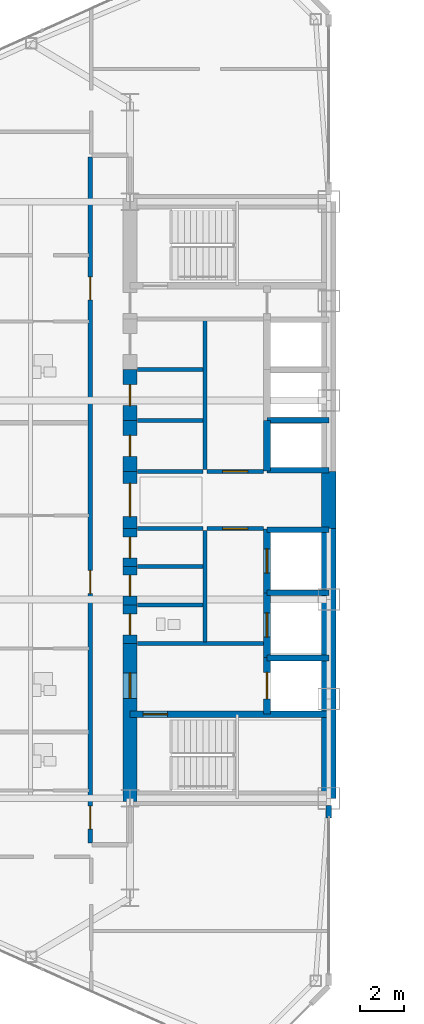
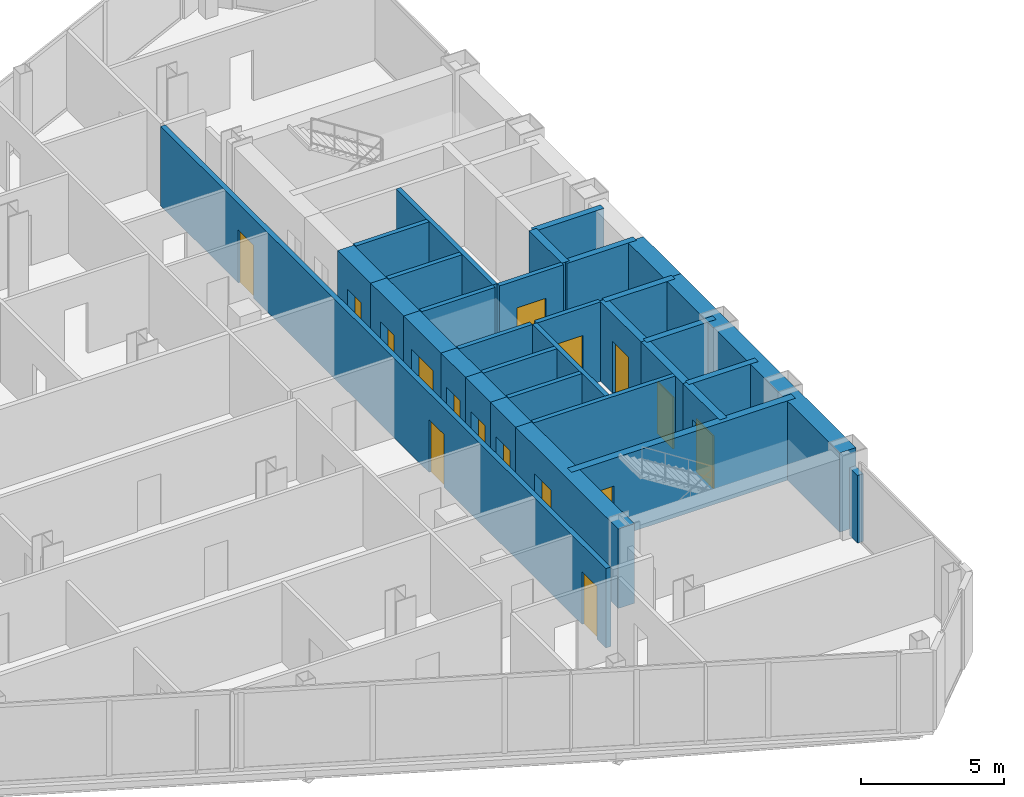
# One storey, part 20 of 27: 32 walls, 16 doors, 16 openings.
"""IFC4 building model written with IfcOpenShell, lengths in metres."""

import ifcopenshell
import ifcopenshell.guid

model = None  # the IFC model being written
_history = None  # IfcOwnerHistory: only IFC2X3 demands one
_inside = {}  # id of a spatial element -> (the spatial element, [elements in it])
_under = {}  # id of a project, library or spatial element -> (it, [spatial elements below it])
_declared = {}  # id of a project -> (the project, [libraries it declares])
_typed = {}  # id of a type object -> (the type object, [elements of that type])
_made_of = {}  # id of a material, layer set ... -> (it, [elements and type objects made of it])


def new_model(schema):
    """Start an empty IFC model of exactly this schema.

    Asked for "IFC4X3", IfcOpenShell would pick the latest addendum, in which some entities
    have other attributes; the version numbers below select the first issue.
    IFC2X3 requires an IfcOwnerHistory on every rooted entity: one is made here for all.
    """
    global model, _history
    if schema == "IFC4X3":
        model = ifcopenshell.file(schema_version=(4, 3, 0, 0))
    else:
        model = ifcopenshell.file(schema=schema)
    _inside.clear()
    _under.clear()
    _declared.clear()
    _typed.clear()
    _made_of.clear()
    _history = None
    if model.schema == "IFC2X3":
        org = make("IfcOrganization", Name="unknown")
        user = make(
            "IfcPersonAndOrganization",
            ThePerson=make("IfcPerson", FamilyName="unknown"),
            TheOrganization=org,
        )
        app = make(
            "IfcApplication",
            ApplicationDeveloper=org,
            Version="unknown",
            ApplicationFullName="unknown",
            ApplicationIdentifier="unknown",
        )
        _history = make(
            "IfcOwnerHistory",
            OwningUser=user,
            OwningApplication=app,
            ChangeAction="ADDED",
            CreationDate=0,
        )
    return model


def make(cls, **values):
    """One entity of the class cls with the attributes given. An attribute that is None is left unset."""
    return model.create_entity(
        cls, **{name: value for name, value in values.items() if value is not None}
    )


def rooted(cls, **values):
    """An entity with a GlobalId (a new one), such as an element, a storey or a relation."""
    return make(cls, GlobalId=ifcopenshell.guid.new(), OwnerHistory=_history, **values)


def si_unit(unit_type, name, prefix=None):
    """IfcSIUnit, for example si_unit("LENGTHUNIT", "METRE", prefix="MILLI")."""
    return make("IfcSIUnit", UnitType=unit_type, Prefix=prefix, Name=name)


def assignment(units):
    """IfcUnitAssignment: the units of a project."""
    return None if units is None else make("IfcUnitAssignment", Units=units)


def point(xyz):
    """IfcCartesianPoint."""
    return None if xyz is None else make("IfcCartesianPoint", Coordinates=xyz)


def direction(xyz):
    """IfcDirection."""
    return None if xyz is None else make("IfcDirection", DirectionRatios=xyz)


def frame(location, z_axis=None, x_axis=None):
    """IfcAxis2Placement3D, a coordinate frame: its origin and axes. An axis left out is left unset."""
    return make(
        "IfcAxis2Placement3D",
        Location=point(location),
        Axis=direction(z_axis),
        RefDirection=direction(x_axis),
    )


def frame_2d(location, x_axis=None):
    """IfcAxis2Placement2D, a coordinate frame in the plane: its origin and x axis."""
    return make(
        "IfcAxis2Placement2D", Location=point(location), RefDirection=direction(x_axis)
    )


def origin():
    """The frame at (0, 0, 0) with its axes left unset."""
    return frame((0.0, 0.0, 0.0))


def place(relative_to, where):
    """IfcLocalPlacement: puts the frame where relative to a parent placement (None: the world)."""
    return make(
        "IfcLocalPlacement", PlacementRelTo=relative_to, RelativePlacement=where
    )


def context(
    kind, dimensions, precision=None, world=None, true_north=None, identifier=None
):
    """IfcGeometricRepresentationContext, for example the 3D "Model" context."""
    return make(
        "IfcGeometricRepresentationContext",
        ContextIdentifier=identifier,
        ContextType=kind,
        CoordinateSpaceDimension=dimensions,
        Precision=precision,
        WorldCoordinateSystem=world,
        TrueNorth=true_north,
    )


def subcontext(parent, identifier, kind, view, scale=None):
    """IfcGeometricRepresentationSubContext, for example "Body" below "Model"."""
    return make(
        "IfcGeometricRepresentationSubContext",
        ContextIdentifier=identifier,
        ContextType=kind,
        ParentContext=parent,
        TargetScale=scale,
        TargetView=view,
    )


def project(units=None, contexts=None):
    """IfcProject with its units and contexts."""
    return rooted(
        "IfcProject",
        Name="project",
        RepresentationContexts=contexts,
        UnitsInContext=assignment(units),
    )


def spatial(cls, under=None, at=None, **own):
    """A site, building, storey or space (cls), placed at a placement, below another one or the project."""
    s = rooted(cls, ObjectPlacement=at, **own)
    if under is not None:
        _under.setdefault(under.id(), (under, []))[1].append(s)
    return s


def profile(cls, at=None, kind="AREA", **sizes):
    """A parametric profile (cls). Its sizes go by their IFC names, for example OverallWidth=200.0."""
    return make(cls, ProfileType=kind, Position=at, **sizes)


def rectangle(**sizes):
    """IfcRectangleProfileDef."""
    return profile("IfcRectangleProfileDef", **sizes)


def extrude(swept, where, along, depth):
    """IfcExtrudedAreaSolid: the profile swept, set in the frame where, extruded along a direction by depth."""
    return make(
        "IfcExtrudedAreaSolid",
        SweptArea=swept,
        Position=where,
        ExtrudedDirection=direction(along),
        Depth=depth,
    )


def shape(context_of_items, identifier, shape_type, items):
    """IfcShapeRepresentation: the items that make up one representation, for example the "Body"."""
    return make(
        "IfcShapeRepresentation",
        ContextOfItems=context_of_items,
        RepresentationIdentifier=identifier,
        RepresentationType=shape_type,
        Items=items,
    )


def source(mapping_origin, context_of_items, identifier, shape_type, items):
    """IfcRepresentationMap: a shape defined once, which mapped items show again and again."""
    return make(
        "IfcRepresentationMap",
        MappingOrigin=mapping_origin,
        MappedRepresentation=shape(context_of_items, identifier, shape_type, items),
    )


def transform(
    local_origin,
    x_axis=None,
    y_axis=None,
    z_axis=None,
    scale=None,
    scale2=None,
    scale3=None,
    uniform=True,
):
    """IfcCartesianTransformationOperator3D, or its non-uniform kind. x_axis, y_axis, z_axis: its Axis1, 2, 3."""
    if uniform:
        return make(
            "IfcCartesianTransformationOperator3D",
            Axis1=direction(x_axis),
            Axis2=direction(y_axis),
            LocalOrigin=point(local_origin),
            Scale=scale,
            Axis3=direction(z_axis),
        )
    return make(
        "IfcCartesianTransformationOperator3DnonUniform",
        Axis1=direction(x_axis),
        Axis2=direction(y_axis),
        LocalOrigin=point(local_origin),
        Scale=scale,
        Axis3=direction(z_axis),
        Scale2=scale2,
        Scale3=scale3,
    )


def mapped(mapping_source, mapping_target):
    """IfcMappedItem: shows the shape of a source again, moved by a transform."""
    return make(
        "IfcMappedItem", MappingSource=mapping_source, MappingTarget=mapping_target
    )


def material(Name=None, Category=None):
    """IfcMaterial."""
    return make("IfcMaterial", Name=Name, Category=Category)


def layer(
    of_material, thickness, ventilated=None, Name=None, Category=None, Priority=None
):
    """IfcMaterialLayer: one layer of a wall or slab, of a material (None: an air gap)."""
    return make(
        "IfcMaterialLayer",
        Material=of_material,
        LayerThickness=thickness,
        IsVentilated=ventilated,
        Name=Name,
        Category=Category,
        Priority=Priority,
    )


def layer_set(layers, Name=None):
    """IfcMaterialLayerSet."""
    return make("IfcMaterialLayerSet", MaterialLayers=layers, LayerSetName=Name)


def made_of(thing, what):
    """Note that an element or type object is made of a material, layer set ...; save() writes the relation."""
    if what is not None:
        _made_of.setdefault(what.id(), (what, []))[1].append(thing)
    return thing


def type_object(cls, material=None, **own):
    """A type object (cls), such as IfcWallType, which elements share."""
    return made_of(rooted(cls, **own), material)


def type_shapes(of_type, sources):
    """Give a type object the sources (RepresentationMaps) that its elements show as mapped items."""
    of_type.RepresentationMaps = sources


def element(
    cls,
    number,
    at=None,
    inside=None,
    cuts=None,
    type_object=None,
    material=None,
    context=None,
    identifier="Body",
    shape_type=None,
    held_by="IfcProductDefinitionShape",
    body=None,
    shapes=None,
    **own,
):
    """One element of the class cls, such as IfcWall. Its Tag is "e" and its number.

    at: its placement. inside: the storey or other place that contains it. cuts: it is an
    opening in that element (IfcRelVoidsElement). A single representation is given by context,
    identifier, shape_type and body (its items); several are given by shapes. held_by: the class
    of the entity that holds the representations. save() writes the other relations.
    """
    e = rooted(cls, Tag="e%d" % number, ObjectPlacement=at, **own)
    if body is not None:
        shapes = [shape(context, identifier, shape_type, body)]
    if shapes is not None:
        e.Representation = make(held_by, Representations=shapes)
    if inside is not None:
        _inside.setdefault(inside.id(), (inside, []))[1].append(e)
    if cuts is not None:
        rooted(
            "IfcRelVoidsElement", RelatingBuildingElement=cuts, RelatedOpeningElement=e
        )
    if type_object is not None:
        _typed.setdefault(type_object.id(), (type_object, []))[1].append(e)
    return made_of(e, material)


def fill(opening, filler):
    """IfcRelFillsElement: the door or window that sits in an opening."""
    return rooted(
        "IfcRelFillsElement",
        RelatingOpeningElement=opening,
        RelatedBuildingElement=filler,
    )


def aggregate(whole, parts):
    """IfcRelAggregates: a whole, such as a stair, and the parts it consists of."""
    return rooted("IfcRelAggregates", RelatingObject=whole, RelatedObjects=parts)


def save(model, path):
    """Write the relations noted so far, then the file.

    IfcRelAggregates (storeys below a building ...), IfcRelContainedInSpatialStructure (elements
    in a storey), IfcRelDefinesByType, IfcRelAssociatesMaterial and IfcRelDeclares: one each for
    every whole, place, type object, material and project.
    """
    for whole, parts in _under.values():
        aggregate(whole, parts)
    for where, things in _inside.values():
        rooted(
            "IfcRelContainedInSpatialStructure",
            RelatedElements=things,
            RelatingStructure=where,
        )
    for kind, things in _typed.values():
        rooted("IfcRelDefinesByType", RelatedObjects=things, RelatingType=kind)
    for what, things in _made_of.values():
        rooted("IfcRelAssociatesMaterial", RelatedObjects=things, RelatingMaterial=what)
    for by, libraries in _declared.values():
        rooted("IfcRelDeclares", RelatingContext=by, RelatedDefinitions=libraries)
    model.write(path)


model = new_model("IFC4")

# Units and contexts
model_context = context("Model", 3, precision=1e-05, world=origin(), true_north=direction((0.0, 1.0)))
body_context = subcontext(model_context, "Body", "Model", "MODEL_VIEW")
ifc_project = project(units=[si_unit("LENGTHUNIT", "METRE"), si_unit("AREAUNIT", "SQUARE_METRE"), si_unit("VOLUMEUNIT", "CUBIC_METRE"), si_unit("PLANEANGLEUNIT", "RADIAN"), si_unit("MASSUNIT", "GRAM", prefix="KILO")], contexts=[model_context])

# Site, building, storey
site_placement = place(None, origin())
site = spatial("IfcSite", under=ifc_project, at=site_placement, CompositionType="ELEMENT")
building_placement = place(site_placement, origin())
building = spatial("IfcBuilding", under=site, at=building_placement, Name="Seokmaru Belvedere", CompositionType="ELEMENT")
storey_placement = place(building_placement, frame((0.0, 0.0, 103.199951171875)))
storey = spatial("IfcBuildingStorey", under=building, at=storey_placement, Name="L27", CompositionType="ELEMENT", Elevation=103.199951171875)

# Walls
ifc_material_1 = material(Name="Fire-Rated Gypsum Shaftwall")
ifc_layer_1 = layer(ifc_material_1, 0.179931640625)
ifc_layer_set_1 = layer_set([ifc_layer_1], Name="Fire-Rated Gypsum Shaftwall")
wall_type_1 = type_object("IfcWallType", Name="Core Service Fire Partition 180", PredefinedType="PARTITIONING", material=ifc_layer_set_1)
wall_1_placement = place(storey_placement, frame((-36.14990234375, -6.5, 0.0), z_axis=(0.0, 0.0, 1.0), x_axis=(1.0, 0.0, 0.0)))
element("IfcWall", 1, at=wall_1_placement, inside=storey, type_object=wall_type_1, Name="L27 West Firefighting Lobby Partition", PredefinedType="PARTITIONING", context=body_context, shape_type="SweptSolid", body=[
    extrude(rectangle(XDim=5.699951171875, YDim=0.179931640625, at=frame_2d((2.85009765625, 0.0))), origin(), (0.0, 0.0, 1.0), 3.380126953125),
])
wall_2_placement = place(storey_placement, frame((-33.10009765625, -6.419921875, 0.0), z_axis=(0.0, 0.0, 1.0), x_axis=(0.0, 1.0, 0.0)))
element("IfcWall", 2, at=wall_2_placement, inside=storey, type_object=wall_type_1, Name="L27 West South Core Service Back Wall", PredefinedType="PARTITIONING", context=body_context, shape_type="SweptSolid", body=[
    extrude(rectangle(XDim=5.0400390625, YDim=0.179931640625, at=frame_2d((2.52001953125, 0.0))), origin(), (0.0, 0.0, 1.0), 3.380126953125),
])
wall_3_placement = place(storey_placement, frame((-33.10009765625, 1.3798828125, 0.0), z_axis=(0.0, 0.0, 1.0), x_axis=(0.0, 1.0, 0.0)))
element("IfcWall", 3, at=wall_3_placement, inside=storey, type_object=wall_type_1, Name="L27 West North Core Service Back Wall", PredefinedType="PARTITIONING", context=body_context, shape_type="SweptSolid", body=[
    extrude(rectangle(XDim=6.740234375, YDim=0.179931640625, at=frame_2d((3.3701171875, 0.0))), origin(), (0.0, 0.0, 1.0), 3.380126953125),
])

# Wall, opening, door
wall_4_placement = place(storey_placement, frame((-33.02001953125, -1.300048828125, 0.0), z_axis=(0.0, 0.0, 1.0), x_axis=(1.0, 0.0, 0.0)))
wall_4 = element("IfcWall", 4, at=wall_4_placement, inside=storey, type_object=wall_type_1, Name="L27 West South Lift Lobby Foyer Wall", PredefinedType="PARTITIONING", context=body_context, shape_type="SweptSolid", body=[
    extrude(rectangle(XDim=2.570068359375, YDim=0.179931640625, at=frame_2d((1.28515625, 0.0))), origin(), (0.0, 0.0, 1.0), 3.380126953125),
])
opening_1_placement = place(wall_4_placement, frame((0.7099609375, 0.0, 0.0)))
opening_1 = element("IfcOpeningElement", 5, at=opening_1_placement, cuts=wall_4, Name="Opening D02", PredefinedType="OPENING", context=body_context, shape_type="SweptSolid", body=[
    extrude(rectangle(XDim=1.14990234375, YDim=2.199951171875, at=frame_2d((0.574951171875, 1.10009765625))), frame((0.0, 0.10009765625, 0.0), z_axis=(0.0, -1.0, 0.0), x_axis=(1.0, 0.0, 0.0)), (0.0, 0.0, 1.0), 0.199951171875),
])
ifc_material_2 = material(Name="Fire-Rated Steel Leaf", Category="steel")
door_type_1 = type_object("IfcDoorType", Name="Lobby and Vestibule Fire Door 1150x2200", OperationType="NOTDEFINED", PredefinedType="DOOR", material=ifc_material_2)
shared_shape_1 = source(origin(), body_context, "Body", "SweptSolid", [
    extrude(rectangle(XDim=1.14990234375, YDim=2.199951171875, at=frame_2d((0.574951171875, 1.10009765625))), frame((0.0, 0.02490234375, 0.0), z_axis=(0.0, -1.0, 0.0), x_axis=(1.0, 0.0, 0.0)), (0.0, 0.0, 1.0), 0.050048828125),
])
type_shapes(door_type_1, [shared_shape_1])
door_1_placement = place(opening_1_placement, origin())
door_1 = element("IfcDoor", 6, at=door_1_placement, inside=storey, type_object=door_type_1, Name="L27 West South Core Foyer Door", OperationType="SINGLE_SWING_LEFT", OverallHeight=2.199951171875, OverallWidth=1.14990234375, PredefinedType="DOOR", context=body_context, shape_type="MappedRepresentation", body=[
    mapped(shared_shape_1, transform((0.0, 0.0, 0.0), scale=1.0)),
])
fill(opening_1, door_1)

wall_5_placement = place(storey_placement, frame((-33.02001953125, 1.300048828125, 0.0), z_axis=(0.0, 0.0, 1.0), x_axis=(1.0, 0.0, 0.0)))
wall_5 = element("IfcWall", 7, at=wall_5_placement, inside=storey, type_object=wall_type_1, Name="L27 West North Lift Lobby Foyer Wall", PredefinedType="PARTITIONING", context=body_context, shape_type="SweptSolid", body=[
    extrude(rectangle(XDim=2.570068359375, YDim=0.179931640625, at=frame_2d((1.28515625, 0.0))), origin(), (0.0, 0.0, 1.0), 3.380126953125),
])
opening_2_placement = place(wall_5_placement, frame((0.7099609375, 0.0, 0.0)))
opening_2 = element("IfcOpeningElement", 8, at=opening_2_placement, cuts=wall_5, Name="Opening D02", PredefinedType="OPENING", context=body_context, shape_type="SweptSolid", body=[
    extrude(rectangle(XDim=1.14990234375, YDim=2.199951171875, at=frame_2d((0.574951171875, 1.10009765625))), frame((0.0, 0.10009765625, 0.0), z_axis=(0.0, -1.0, 0.0), x_axis=(1.0, 0.0, 0.0)), (0.0, 0.0, 1.0), 0.199951171875),
])
door_2_placement = place(opening_2_placement, origin())
door_2 = element("IfcDoor", 9, at=door_2_placement, inside=storey, type_object=door_type_1, Name="L27 West North Lift Lobby Door", OperationType="SINGLE_SWING_RIGHT", OverallHeight=2.199951171875, OverallWidth=1.14990234375, PredefinedType="DOOR", context=body_context, shape_type="MappedRepresentation", body=[
    mapped(shared_shape_1, transform((0.0, 0.0, 0.0), scale=1.0)),
])
fill(opening_2, door_2)

# Walls
for number, where, z_axis, x_axis, name in (
    (10, (-36.14990234375, -1.300048828125, 0.0), (0.0, 0.0, 1.0), (1.0, 0.0, 0.0), "L27 West Foyer Side Wall S"),
    (11, (-36.14990234375, 1.300048828125, 0.0), (0.0, 0.0, 1.0), (1.0, 0.0, 0.0), "L27 West Foyer Side Wall N"),
    (12, (-36.14990234375, -4.75, 0.0), (0.0, 0.0, 1.0), (1.0, 0.0, 0.0), "L27 West Core Service Partition 1"),
    (13, (-36.14990234375, -3.0, 0.0), (0.0, 0.0, 1.0), (1.0, 0.0, 0.0), "L27 West Core Service Partition 2"),
    (14, (-36.14990234375, 3.60009765625, 0.0), (0.0, 0.0, 1.0), (1.0, 0.0, 0.0), "L27 West Core Service Partition 3"),
    (15, (-36.14990234375, 5.89990234375, 0.0), (0.0, 0.0, 1.0), (1.0, 0.0, 0.0), "L27 West Core Service Partition 4"),
):
    element("IfcWall", number, at=place(storey_placement, frame(where, z_axis=z_axis, x_axis=x_axis)), inside=storey, type_object=wall_type_1, Name=name, PredefinedType="PARTITIONING", context=body_context, shape_type="SweptSolid", body=[
        extrude(rectangle(XDim=2.949951171875, YDim=0.179931640625, at=frame_2d((1.47509765625, 0.0))), origin(), (0.0, 0.0, 1.0), 3.380126953125),
    ])
ifc_material_3 = material(Name="Concrete C50 (50 MPa)", Category="concrete")
ifc_layer_2 = layer(ifc_material_3, 0.25)
ifc_layer_set_2 = layer_set([ifc_layer_2], Name="Concrete C50 (50 MPa)")
wall_type_2 = type_object("IfcWallType", Name="Hoistway Transverse Concrete Divider Wall 250", PredefinedType="SHEAR", material=ifc_layer_set_2)
for number, where, z_axis, x_axis, name in (
    (16, (-30.300048828125, -7.14990234375, 0.0), (0.0, 0.0, 1.0), (1.0, 0.0, 0.0), "L27 West Hoistway Divider Core Wall 1"),
    (17, (-30.300048828125, -4.199951171875, 0.0), (0.0, 0.0, 1.0), (1.0, 0.0, 0.0), "L27 West Hoistway Divider Core Wall 2"),
    (18, (-30.300048828125, -1.35009765625, 0.0), (0.0, 0.0, 1.0), (1.0, 0.0, 0.0), "L27 West Hoistway Divider Core Wall 3"),
    (19, (-30.300048828125, 1.35009765625, 0.0), (0.0, 0.0, 1.0), (1.0, 0.0, 0.0), "L27 West Hoistway Divider Core Wall 4"),
    (20, (-30.300048828125, 3.60009765625, 0.0), (0.0, 0.0, 1.0), (1.0, 0.0, 0.0), "L27 West Hoistway Divider Core Wall 5"),
):
    element("IfcWall", number, at=place(storey_placement, frame(where, z_axis=z_axis, x_axis=x_axis)), inside=storey, type_object=wall_type_2, Name=name, PredefinedType="SHEAR", context=body_context, shape_type="SweptSolid", body=[
        extrude(rectangle(XDim=2.800048828125, YDim=0.25, at=frame_2d((1.39990234375, 0.0))), origin(), (0.0, 0.0, 1.0), 3.380126953125),
    ])

# Wall, openings, doors
ifc_layer_3 = layer(ifc_material_1, 0.199951171875)
ifc_layer_set_3 = layer_set([ifc_layer_3], Name="Fire-Rated Gypsum Shaftwall")
wall_type_3 = type_object("IfcWallType", Name="Inter-Tenancy Fire Compartment Partition 200", PredefinedType="PARTITIONING", material=ifc_layer_set_3)
wall_6_placement = place(storey_placement, frame((-38.300048828125, -15.514892578125, 0.0), z_axis=(0.0, 0.0, 1.0), x_axis=(0.0, 1.0, 0.0)))
wall_6 = element("IfcWall", 21, at=wall_6_placement, inside=storey, type_object=wall_type_3, Name="L27 Interior Partition 040", PredefinedType="PARTITIONING", context=body_context, shape_type="SweptSolid", body=[
    extrude(rectangle(XDim=31.02978515625, YDim=0.199951171875, at=frame_2d((15.514892578125, 0.0))), origin(), (0.0, 0.0, 1.0), 3.380126953125),
])
opening_3_placement = place(wall_6_placement, frame((0.617431640625, 0.0, 0.0)))
opening_3 = element("IfcOpeningElement", 22, at=opening_3_placement, cuts=wall_6, Name="Opening D03", PredefinedType="OPENING", context=body_context, shape_type="SweptSolid", body=[
    extrude(rectangle(XDim=1.050048828125, YDim=2.25, at=frame_2d((0.52490234375, 1.125))), frame((0.0, 0.10986328125, 0.0), z_axis=(0.0, -1.0, 0.0), x_axis=(1.0, 0.0, 0.0)), (0.0, 0.0, 1.0), 0.219970703125),
])
opening_4_placement = place(wall_6_placement, frame((11.280029296875, 0.0, 0.0)))
opening_4 = element("IfcOpeningElement", 23, at=opening_4_placement, cuts=wall_6, Name="Opening D03", PredefinedType="OPENING", context=body_context, shape_type="SweptSolid", body=[
    extrude(rectangle(XDim=1.050048828125, YDim=2.25, at=frame_2d((0.52490234375, 1.125))), frame((0.0, 0.10986328125, 0.0), z_axis=(0.0, -1.0, 0.0), x_axis=(1.0, 0.0, 0.0)), (0.0, 0.0, 1.0), 0.219970703125),
])
opening_5_placement = place(wall_6_placement, frame((24.5673828125, 0.0, 0.0)))
opening_5 = element("IfcOpeningElement", 24, at=opening_5_placement, cuts=wall_6, Name="Opening D03", PredefinedType="OPENING", context=body_context, shape_type="SweptSolid", body=[
    extrude(rectangle(XDim=1.050048828125, YDim=2.25, at=frame_2d((0.52490234375, 1.125))), frame((0.0, 0.10986328125, 0.0), z_axis=(0.0, -1.0, 0.0), x_axis=(1.0, 0.0, 0.0)), (0.0, 0.0, 1.0), 0.219970703125),
])
door_type_2 = type_object("IfcDoorType", Name="Apartment Entrance Fire Door 1050x2250", OperationType="NOTDEFINED", PredefinedType="DOOR", material=ifc_material_2)
shared_shape_2 = source(origin(), body_context, "Body", "SweptSolid", [
    extrude(rectangle(XDim=1.050048828125, YDim=2.25, at=frame_2d((0.52490234375, 1.125))), frame((0.0, 0.02490234375, 0.0), z_axis=(0.0, -1.0, 0.0), x_axis=(1.0, 0.0, 0.0)), (0.0, 0.0, 1.0), 0.050048828125),
])
type_shapes(door_type_2, [shared_shape_2])
door_3_placement = place(opening_3_placement, origin())
door_3 = element("IfcDoor", 25, at=door_3_placement, inside=storey, type_object=door_type_2, Name="L27 Interior Door 001", OperationType="SINGLE_SWING_RIGHT", OverallHeight=2.25, OverallWidth=1.050048828125, PredefinedType="DOOR", context=body_context, shape_type="MappedRepresentation", body=[
    mapped(shared_shape_2, transform((0.0, 0.0, 0.0), scale=1.0)),
])
fill(opening_3, door_3)
door_4_placement = place(opening_4_placement, origin())
door_4 = element("IfcDoor", 26, at=door_4_placement, inside=storey, type_object=door_type_2, Name="L27 Interior Door 010", OperationType="SINGLE_SWING_LEFT", OverallHeight=2.25, OverallWidth=1.050048828125, PredefinedType="DOOR", context=body_context, shape_type="MappedRepresentation", body=[
    mapped(shared_shape_2, transform((0.0, 0.0, 0.0), scale=1.0)),
])
fill(opening_4, door_4)
door_5_placement = place(opening_5_placement, origin())
door_5 = element("IfcDoor", 27, at=door_5_placement, inside=storey, type_object=door_type_2, Name="L27 Interior Door 022", OperationType="SINGLE_SWING_RIGHT", OverallHeight=2.25, OverallWidth=1.050048828125, PredefinedType="DOOR", context=body_context, shape_type="MappedRepresentation", body=[
    mapped(shared_shape_2, transform((0.0, 0.0, 0.0), scale=1.0)),
])
fill(opening_5, door_5)

# Wall, opening, door
ifc_layer_4 = layer(ifc_material_3, 0.300048828125)
ifc_layer_set_4 = layer_set([ifc_layer_4], Name="Concrete C50 (50 MPa)")
wall_type_4 = type_object("IfcWallType", Name="Internal Core Stair and Hoistway Wall 300", PredefinedType="SHEAR", material=ifc_layer_set_4)
wall_7_placement = place(storey_placement, frame((-36.5, -9.699951171875, 0.0), z_axis=(0.0, 0.0, 1.0), x_axis=(1.0, 0.0, 0.0)))
wall_7 = element("IfcWall", 28, at=wall_7_placement, inside=storey, type_object=wall_type_4, Name="L27 West Stair ST-1 Enclosure Wall", PredefinedType="SHEAR", context=body_context, shape_type="SweptSolid", body=[
    extrude(rectangle(XDim=9.0, YDim=0.300048828125, at=frame_2d((4.5, 0.0))), origin(), (0.0, 0.0, 1.0), 3.380126953125),
])
opening_6_placement = place(wall_7_placement, frame((0.60009765625, 0.0, 0.0)))
opening_6 = element("IfcOpeningElement", 29, at=opening_6_placement, cuts=wall_7, Name="Opening D01", PredefinedType="OPENING", context=body_context, shape_type="SweptSolid", body=[
    extrude(rectangle(XDim=1.10009765625, YDim=2.199951171875, at=frame_2d((0.550048828125, 1.10009765625))), frame((0.0, 0.16015625, 0.0), z_axis=(0.0, -1.0, 0.0), x_axis=(1.0, 0.0, 0.0)), (0.0, 0.0, 1.0), 0.320068359375),
])
door_type_3 = type_object("IfcDoorType", Name="Special Escape Stair Smokeproof Fire Door 1100x2200", OperationType="NOTDEFINED", PredefinedType="DOOR", material=ifc_material_2)
shared_shape_3 = source(origin(), body_context, "Body", "SweptSolid", [
    extrude(rectangle(XDim=1.10009765625, YDim=2.199951171875, at=frame_2d((0.550048828125, 1.10009765625))), frame((0.0, 0.02490234375, 0.0), z_axis=(0.0, -1.0, 0.0), x_axis=(1.0, 0.0, 0.0)), (0.0, 0.0, 1.0), 0.050048828125),
])
type_shapes(door_type_3, [shared_shape_3])
door_6_placement = place(opening_6_placement, frame((1.10009765625, 0.0, 0.0), z_axis=(0.0, 0.0, 1.0), x_axis=(-1.0, 0.0, 0.0)))
door_6 = element("IfcDoor", 30, at=door_6_placement, inside=storey, type_object=door_type_3, Name="L27 West Special Escape Stair ST-1 Door", OperationType="SINGLE_SWING_LEFT", OverallHeight=2.199951171875, OverallWidth=1.10009765625, PredefinedType="DOOR", context=body_context, shape_type="MappedRepresentation", body=[
    mapped(shared_shape_3, transform((0.0, 0.0, 0.0), scale=1.0)),
])
fill(opening_6, door_6)

wall_8_placement = place(storey_placement, frame((-30.300048828125, -9.679931640625, 0.0), z_axis=(0.0, 0.0, 1.0), x_axis=(0.0, 1.0, 0.0)))
wall_8 = element("IfcWall", 31, at=wall_8_placement, inside=storey, type_object=wall_type_4, Name="L27 West Firefighting Lift Shaft Front Wall", PredefinedType="SHEAR", context=body_context, shape_type="SweptSolid", body=[
    extrude(rectangle(XDim=2.559814453125, YDim=0.300048828125, at=frame_2d((1.27978515625, 0.0))), origin(), (0.0, 0.0, 1.0), 3.380126953125),
])
opening_7_placement = place(wall_8_placement, frame((0.679931640625, 0.0, 0.0)))
opening_7 = element("IfcOpeningElement", 32, at=opening_7_placement, cuts=wall_8, Name="Opening LD2", PredefinedType="OPENING", context=body_context, shape_type="SweptSolid", body=[
    extrude(rectangle(XDim=1.199951171875, YDim=2.25, at=frame_2d((0.60009765625, 1.125))), frame((0.0, 0.16015625, 0.0), z_axis=(0.0, -1.0, 0.0), x_axis=(1.0, 0.0, 0.0)), (0.0, 0.0, 1.0), 0.320068359375),
])
ifc_material_4 = material(Name="Stainless Steel 316", Category="steel")
door_type_4 = type_object("IfcDoorType", Name="Firefighting Lift Sliding Landing Door 1200x2250", OperationType="DOUBLE_DOOR_SLIDING", PredefinedType="DOOR", material=ifc_material_4)
shared_shape_4 = source(origin(), body_context, "Body", "SweptSolid", [
    extrude(rectangle(XDim=1.199951171875, YDim=2.25, at=frame_2d((0.60009765625, 1.125))), frame((0.0, 0.02490234375, 0.0), z_axis=(0.0, -1.0, 0.0), x_axis=(1.0, 0.0, 0.0)), (0.0, 0.0, 1.0), 0.050048828125),
])
type_shapes(door_type_4, [shared_shape_4])
door_7_placement = place(opening_7_placement, origin())
door_7 = element("IfcDoor", 33, at=door_7_placement, inside=storey, type_object=door_type_4, Name="L27 West Firefighting Lift Landing Door", OperationType="DOUBLE_DOOR_SLIDING", OverallHeight=2.25, OverallWidth=1.199951171875, PredefinedType="DOOR", context=body_context, shape_type="MappedRepresentation", body=[
    mapped(shared_shape_4, transform((0.0, 0.0, 0.0), scale=1.0)),
])
fill(opening_7, door_7)

wall_9_placement = place(storey_placement, frame((-30.300048828125, -7.1201171875, 0.0), z_axis=(0.0, 0.0, 1.0), x_axis=(0.0, 1.0, 0.0)))
wall_9 = element("IfcWall", 34, at=wall_9_placement, inside=storey, type_object=wall_type_4, Name="L27 West Low-Rise Lift PL-1 Front Wall", PredefinedType="SHEAR", context=body_context, shape_type="SweptSolid", body=[
    extrude(rectangle(XDim=2.920166015625, YDim=0.300048828125, at=frame_2d((1.4599609375, 0.0))), origin(), (0.0, 0.0, 1.0), 3.380126953125),
])
opening_8_placement = place(wall_9_placement, frame((0.909912109375, 0.0, 0.0)))
opening_8 = element("IfcOpeningElement", 35, at=opening_8_placement, cuts=wall_9, Name="Opening LD1", PredefinedType="OPENING", context=body_context, shape_type="SweptSolid", body=[
    extrude(rectangle(XDim=1.10009765625, YDim=2.199951171875, at=frame_2d((0.550048828125, 1.10009765625))), frame((0.0, 0.16015625, 0.0), z_axis=(0.0, -1.0, 0.0), x_axis=(1.0, 0.0, 0.0)), (0.0, 0.0, 1.0), 0.320068359375),
])
door_type_5 = type_object("IfcDoorType", Name="Passenger Lift Sliding Landing Door 1100x2200", OperationType="DOUBLE_DOOR_SLIDING", PredefinedType="DOOR", material=ifc_material_4)
shared_shape_5 = source(origin(), body_context, "Body", "SweptSolid", [
    extrude(rectangle(XDim=1.10009765625, YDim=2.199951171875, at=frame_2d((0.550048828125, 1.10009765625))), frame((0.0, 0.02490234375, 0.0), z_axis=(0.0, -1.0, 0.0), x_axis=(1.0, 0.0, 0.0)), (0.0, 0.0, 1.0), 0.050048828125),
])
type_shapes(door_type_5, [shared_shape_5])
door_8_placement = place(opening_8_placement, origin())
door_8 = element("IfcDoor", 36, at=door_8_placement, inside=storey, type_object=door_type_5, Name="L27 West Low-Rise Lift PL-1 Landing Door", OperationType="DOUBLE_DOOR_SLIDING", OverallHeight=2.199951171875, OverallWidth=1.10009765625, PredefinedType="DOOR", context=body_context, shape_type="MappedRepresentation", body=[
    mapped(shared_shape_5, transform((0.0, 0.0, 0.0), scale=1.0)),
])
fill(opening_8, door_8)

wall_10_placement = place(storey_placement, frame((-30.300048828125, -4.199951171875, 0.0), z_axis=(0.0, 0.0, 1.0), x_axis=(0.0, 1.0, 0.0)))
wall_10 = element("IfcWall", 37, at=wall_10_placement, inside=storey, type_object=wall_type_4, Name="L27 West Low-Rise Lift PL-2 Front Wall", PredefinedType="SHEAR", context=body_context, shape_type="SweptSolid", body=[
    extrude(rectangle(XDim=2.8798828125, YDim=0.300048828125, at=frame_2d((1.43994140625, 0.0))), origin(), (0.0, 0.0, 1.0), 3.380126953125),
])
opening_9_placement = place(wall_10_placement, frame((0.889892578125, 0.0, 0.0)))
opening_9 = element("IfcOpeningElement", 38, at=opening_9_placement, cuts=wall_10, Name="Opening LD1", PredefinedType="OPENING", context=body_context, shape_type="SweptSolid", body=[
    extrude(rectangle(XDim=1.10009765625, YDim=2.199951171875, at=frame_2d((0.550048828125, 1.10009765625))), frame((0.0, 0.16015625, 0.0), z_axis=(0.0, -1.0, 0.0), x_axis=(1.0, 0.0, 0.0)), (0.0, 0.0, 1.0), 0.320068359375),
])
door_9_placement = place(opening_9_placement, origin())
door_9 = element("IfcDoor", 39, at=door_9_placement, inside=storey, type_object=door_type_5, Name="L27 West Low-Rise Lift PL-2 Landing Door", OperationType="DOUBLE_DOOR_SLIDING", OverallHeight=2.199951171875, OverallWidth=1.10009765625, PredefinedType="DOOR", context=body_context, shape_type="MappedRepresentation", body=[
    mapped(shared_shape_5, transform((0.0, 0.0, 0.0), scale=1.0)),
])
fill(opening_9, door_9)

# Walls
wall_11_placement = place(storey_placement, frame((-30.300048828125, 1.320068359375, 0.0), z_axis=(0.0, 0.0, 1.0), x_axis=(0.0, 1.0, 0.0)))
element("IfcWall", 40, at=wall_11_placement, inside=storey, type_object=wall_type_4, Name="L27 West North Hoistway Wall PH1", PredefinedType="SHEAR", context=body_context, shape_type="SweptSolid", body=[
    extrude(rectangle(XDim=2.280029296875, YDim=0.300048828125, at=frame_2d((1.14013671875, 0.0))), origin(), (0.0, 0.0, 1.0), 3.380126953125),
])
ifc_material_5 = material(Name="Concrete C60 (60 MPa)", Category="concrete")
ifc_layer_5 = layer(ifc_material_5, 0.64990234375)
ifc_layer_set_5 = layer_set([ifc_layer_5], Name="Concrete C60 (60 MPa)")
wall_type_5 = type_object("IfcWallType", Name="Mid-Low Reinforced Concrete Core Wall 650", PredefinedType="SHEAR", material=ifc_layer_set_5)
wall_12_placement = place(storey_placement, frame((-27.5, -13.5, 0.0), z_axis=(0.0, 0.0, 1.0), x_axis=(0.0, 1.0, 0.0)))
element("IfcWall", 41, at=wall_12_placement, inside=storey, type_object=wall_type_5, Name="L27 West Portal Spine Core Wall South", PredefinedType="SHEAR", context=body_context, shape_type="SweptSolid", body=[
    extrude(rectangle(XDim=12.199951171875, YDim=0.64990234375, at=frame_2d((6.10009765625, 0.0))), origin(), (0.0, 0.0, 1.0), 3.380126953125),
])
wall_13_placement = place(storey_placement, frame((-27.5, -1.300048828125, 0.0), z_axis=(0.0, 0.0, 1.0), x_axis=(0.0, 1.0, 0.0)))
element("IfcWall", 42, at=wall_13_placement, inside=storey, type_object=wall_type_5, Name="L27 West Portal Spine Core Wall Center", PredefinedType="SHEAR", context=body_context, shape_type="SweptSolid", body=[
    extrude(rectangle(XDim=2.60009765625, YDim=0.64990234375, at=frame_2d((1.300048828125, 0.0))), origin(), (0.0, 0.0, 1.0), 3.380126953125),
])

# Wall, opening, door
wall_14_placement = place(storey_placement, frame((-36.5, -13.64990234375, 0.0), z_axis=(0.0, 0.0, 1.0), x_axis=(0.0, 1.0, 0.0)))
wall_14 = element("IfcWall", 43, at=wall_14_placement, inside=storey, type_object=wall_type_5, Name="L27 West West Core Wall FF", PredefinedType="SHEAR", context=body_context, shape_type="SweptSolid", body=[
    extrude(rectangle(XDim=7.14990234375, YDim=0.64990234375, at=frame_2d((3.574951171875, 0.0))), origin(), (0.0, 0.0, 1.0), 3.380126953125),
])
opening_10_placement = place(wall_14_placement, frame((4.675048828125, 0.0, 0.0)))
opening_10 = element("IfcOpeningElement", 44, at=opening_10_placement, cuts=wall_14, Name="Opening D02", PredefinedType="OPENING", context=body_context, shape_type="SweptSolid", body=[
    extrude(rectangle(XDim=1.14990234375, YDim=2.199951171875, at=frame_2d((0.574951171875, 1.10009765625))), frame((0.0, 0.3349609375, 0.0), z_axis=(0.0, -1.0, 0.0), x_axis=(1.0, 0.0, 0.0)), (0.0, 0.0, 1.0), 0.669921875),
])
door_10_placement = place(opening_10_placement, frame((1.14990234375, 0.0, 0.0), z_axis=(0.0, 0.0, 1.0), x_axis=(-1.0, 0.0, 0.0)))
door_10 = element("IfcDoor", 45, at=door_10_placement, inside=storey, type_object=door_type_1, Name="L27 West Firefighting Lobby Door", OperationType="SINGLE_SWING_LEFT", OverallHeight=2.199951171875, OverallWidth=1.14990234375, PredefinedType="DOOR", context=body_context, shape_type="MappedRepresentation", body=[
    mapped(shared_shape_1, transform((0.0, 0.0, 0.0), scale=1.0)),
])
fill(opening_10, door_10)

wall_15_placement = place(storey_placement, frame((-36.5, -1.300048828125, 0.0), z_axis=(0.0, 0.0, 1.0), x_axis=(0.0, 1.0, 0.0)))
wall_15 = element("IfcWall", 46, at=wall_15_placement, inside=storey, type_object=wall_type_5, Name="L27 West West Core Wall FOY", PredefinedType="SHEAR", context=body_context, shape_type="SweptSolid", body=[
    extrude(rectangle(XDim=2.60009765625, YDim=0.64990234375, at=frame_2d((1.300048828125, 0.0))), origin(), (0.0, 0.0, 1.0), 3.380126953125),
])
opening_11_placement = place(wall_15_placement, frame((0.550048828125, 0.0, 0.0)))
opening_11 = element("IfcOpeningElement", 47, at=opening_11_placement, cuts=wall_15, Name="Opening D08", PredefinedType="OPENING", context=body_context, shape_type="SweptSolid", body=[
    extrude(rectangle(XDim=1.5, YDim=2.300048828125, at=frame_2d((0.75, 1.14990234375))), frame((0.0, 0.3349609375, 0.0), z_axis=(0.0, -1.0, 0.0), x_axis=(1.0, 0.0, 0.0)), (0.0, 0.0, 1.0), 0.669921875),
])
door_type_6 = type_object("IfcDoorType", Name="Cross-Corridor Compartment Double Fire Door 1500x2300", OperationType="DOUBLE_SWING_LEFT", PredefinedType="DOOR", material=ifc_material_2)
shared_shape_6 = source(origin(), body_context, "Body", "SweptSolid", [
    extrude(rectangle(XDim=1.5, YDim=2.300048828125, at=frame_2d((0.75, 1.14990234375))), frame((0.0, 0.02490234375, 0.0), z_axis=(0.0, -1.0, 0.0), x_axis=(1.0, 0.0, 0.0)), (0.0, 0.0, 1.0), 0.050048828125),
])
type_shapes(door_type_6, [shared_shape_6])
door_11_placement = place(opening_11_placement, origin())
door_11 = element("IfcDoor", 48, at=door_11_placement, inside=storey, type_object=door_type_6, Name="L27 West Core Foyer Compartment Door", OperationType="DOUBLE_SWING_LEFT", OverallHeight=2.300048828125, OverallWidth=1.5, PredefinedType="DOOR", context=body_context, shape_type="MappedRepresentation", body=[
    mapped(shared_shape_6, transform((0.0, 0.0, 0.0), scale=1.0)),
])
fill(opening_11, door_11)

wall_16_placement = place(storey_placement, frame((-36.5, -6.5, 0.0), z_axis=(0.0, 0.0, 1.0), x_axis=(0.0, 1.0, 0.0)))
wall_16 = element("IfcWall", 49, at=wall_16_placement, inside=storey, type_object=wall_type_5, Name="L27 West West Core Wall CS1", PredefinedType="SHEAR", context=body_context, shape_type="SweptSolid", body=[
    extrude(rectangle(XDim=1.75, YDim=0.64990234375, at=frame_2d((0.875, 0.0))), origin(), (0.0, 0.0, 1.0), 3.380126953125),
])
opening_12_placement = place(wall_16_placement, frame((0.39990234375, 0.0, 0.0)))
opening_12 = element("IfcOpeningElement", 50, at=opening_12_placement, cuts=wall_16, Name="Opening D04", PredefinedType="OPENING", context=body_context, shape_type="SweptSolid", body=[
    extrude(rectangle(XDim=0.949951171875, YDim=2.14990234375, at=frame_2d((0.47509765625, 1.074951171875))), frame((0.0, 0.3349609375, 0.0), z_axis=(0.0, -1.0, 0.0), x_axis=(1.0, 0.0, 0.0)), (0.0, 0.0, 1.0), 0.669921875),
])
door_type_7 = type_object("IfcDoorType", Name="Core Service Room Fire Door 950x2150", OperationType="NOTDEFINED", PredefinedType="DOOR", material=ifc_material_2)
shared_shape_7 = source(origin(), body_context, "Body", "SweptSolid", [
    extrude(rectangle(XDim=0.949951171875, YDim=2.14990234375, at=frame_2d((0.47509765625, 1.074951171875))), frame((0.0, 0.02490234375, 0.0), z_axis=(0.0, -1.0, 0.0), x_axis=(1.0, 0.0, 0.0)), (0.0, 0.0, 1.0), 0.050048828125),
])
type_shapes(door_type_7, [shared_shape_7])
door_12_placement = place(opening_12_placement, origin())
door_12 = element("IfcDoor", 51, at=door_12_placement, inside=storey, type_object=door_type_7, Name="L27 West Core Service Room Door 1", OperationType="SINGLE_SWING_LEFT", OverallHeight=2.14990234375, OverallWidth=0.949951171875, PredefinedType="DOOR", context=body_context, shape_type="MappedRepresentation", body=[
    mapped(shared_shape_7, transform((0.0, 0.0, 0.0), scale=1.0)),
])
fill(opening_12, door_12)

wall_17_placement = place(storey_placement, frame((-36.5, -4.75, 0.0), z_axis=(0.0, 0.0, 1.0), x_axis=(0.0, 1.0, 0.0)))
wall_17 = element("IfcWall", 52, at=wall_17_placement, inside=storey, type_object=wall_type_5, Name="L27 West West Core Wall CS2", PredefinedType="SHEAR", context=body_context, shape_type="SweptSolid", body=[
    extrude(rectangle(XDim=1.75, YDim=0.64990234375, at=frame_2d((0.875, 0.0))), origin(), (0.0, 0.0, 1.0), 3.380126953125),
])
opening_13_placement = place(wall_17_placement, frame((0.39990234375, 0.0, 0.0)))
opening_13 = element("IfcOpeningElement", 53, at=opening_13_placement, cuts=wall_17, Name="Opening D04", PredefinedType="OPENING", context=body_context, shape_type="SweptSolid", body=[
    extrude(rectangle(XDim=0.949951171875, YDim=2.14990234375, at=frame_2d((0.47509765625, 1.074951171875))), frame((0.0, 0.3349609375, 0.0), z_axis=(0.0, -1.0, 0.0), x_axis=(1.0, 0.0, 0.0)), (0.0, 0.0, 1.0), 0.669921875),
])
door_13_placement = place(opening_13_placement, origin())
door_13 = element("IfcDoor", 54, at=door_13_placement, inside=storey, type_object=door_type_7, Name="L27 West Core Service Room Door 2", OperationType="SINGLE_SWING_RIGHT", OverallHeight=2.14990234375, OverallWidth=0.949951171875, PredefinedType="DOOR", context=body_context, shape_type="MappedRepresentation", body=[
    mapped(shared_shape_7, transform((0.0, 0.0, 0.0), scale=1.0)),
])
fill(opening_13, door_13)

wall_18_placement = place(storey_placement, frame((-36.5, -3.0, 0.0), z_axis=(0.0, 0.0, 1.0), x_axis=(0.0, 1.0, 0.0)))
wall_18 = element("IfcWall", 55, at=wall_18_placement, inside=storey, type_object=wall_type_5, Name="L27 West West Core Wall CS3", PredefinedType="SHEAR", context=body_context, shape_type="SweptSolid", body=[
    extrude(rectangle(XDim=1.699951171875, YDim=0.64990234375, at=frame_2d((0.85009765625, 0.0))), origin(), (0.0, 0.0, 1.0), 3.380126953125),
])
opening_14_placement = place(wall_18_placement, frame((0.375, 0.0, 0.0)))
opening_14 = element("IfcOpeningElement", 56, at=opening_14_placement, cuts=wall_18, Name="Opening D04", PredefinedType="OPENING", context=body_context, shape_type="SweptSolid", body=[
    extrude(rectangle(XDim=0.949951171875, YDim=2.14990234375, at=frame_2d((0.47509765625, 1.074951171875))), frame((0.0, 0.3349609375, 0.0), z_axis=(0.0, -1.0, 0.0), x_axis=(1.0, 0.0, 0.0)), (0.0, 0.0, 1.0), 0.669921875),
])
door_14_placement = place(opening_14_placement, origin())
door_14 = element("IfcDoor", 57, at=door_14_placement, inside=storey, type_object=door_type_7, Name="L27 West Core Service Room Door 3", OperationType="SINGLE_SWING_LEFT", OverallHeight=2.14990234375, OverallWidth=0.949951171875, PredefinedType="DOOR", context=body_context, shape_type="MappedRepresentation", body=[
    mapped(shared_shape_7, transform((0.0, 0.0, 0.0), scale=1.0)),
])
fill(opening_14, door_14)

wall_19_placement = place(storey_placement, frame((-36.5, 1.300048828125, 0.0), z_axis=(0.0, 0.0, 1.0), x_axis=(0.0, 1.0, 0.0)))
wall_19 = element("IfcWall", 58, at=wall_19_placement, inside=storey, type_object=wall_type_5, Name="L27 West West Core Wall CS4", PredefinedType="SHEAR", context=body_context, shape_type="SweptSolid", body=[
    extrude(rectangle(XDim=2.300048828125, YDim=0.64990234375, at=frame_2d((1.14990234375, 0.0))), origin(), (0.0, 0.0, 1.0), 3.380126953125),
])
opening_15_placement = place(wall_19_placement, frame((0.675048828125, 0.0, 0.0)))
opening_15 = element("IfcOpeningElement", 59, at=opening_15_placement, cuts=wall_19, Name="Opening D04", PredefinedType="OPENING", context=body_context, shape_type="SweptSolid", body=[
    extrude(rectangle(XDim=0.949951171875, YDim=2.14990234375, at=frame_2d((0.47509765625, 1.074951171875))), frame((0.0, 0.3349609375, 0.0), z_axis=(0.0, -1.0, 0.0), x_axis=(1.0, 0.0, 0.0)), (0.0, 0.0, 1.0), 0.669921875),
])
door_15_placement = place(opening_15_placement, origin())
door_15 = element("IfcDoor", 60, at=door_15_placement, inside=storey, type_object=door_type_7, Name="L27 West Core Service Room Door 4", OperationType="SINGLE_SWING_RIGHT", OverallHeight=2.14990234375, OverallWidth=0.949951171875, PredefinedType="DOOR", context=body_context, shape_type="MappedRepresentation", body=[
    mapped(shared_shape_7, transform((0.0, 0.0, 0.0), scale=1.0)),
])
fill(opening_15, door_15)

wall_20_placement = place(storey_placement, frame((-36.5, 3.60009765625, 0.0), z_axis=(0.0, 0.0, 1.0), x_axis=(0.0, 1.0, 0.0)))
wall_20 = element("IfcWall", 61, at=wall_20_placement, inside=storey, type_object=wall_type_5, Name="L27 West West Core Wall CS5", PredefinedType="SHEAR", context=body_context, shape_type="SweptSolid", body=[
    extrude(rectangle(XDim=2.2998046875, YDim=0.64990234375, at=frame_2d((1.14990234375, 0.0))), origin(), (0.0, 0.0, 1.0), 3.380126953125),
])
opening_16_placement = place(wall_20_placement, frame((0.675048828125, 0.0, 0.0)))
opening_16 = element("IfcOpeningElement", 62, at=opening_16_placement, cuts=wall_20, Name="Opening D04", PredefinedType="OPENING", context=body_context, shape_type="SweptSolid", body=[
    extrude(rectangle(XDim=0.949951171875, YDim=2.14990234375, at=frame_2d((0.47509765625, 1.074951171875))), frame((0.0, 0.3349609375, 0.0), z_axis=(0.0, -1.0, 0.0), x_axis=(1.0, 0.0, 0.0)), (0.0, 0.0, 1.0), 0.669921875),
])
door_16_placement = place(opening_16_placement, origin())
door_16 = element("IfcDoor", 63, at=door_16_placement, inside=storey, type_object=door_type_7, Name="L27 West Core Service Room Door 5", OperationType="SINGLE_SWING_LEFT", OverallHeight=2.14990234375, OverallWidth=0.949951171875, PredefinedType="DOOR", context=body_context, shape_type="MappedRepresentation", body=[
    mapped(shared_shape_7, transform((0.0, 0.0, 0.0), scale=1.0)),
])
fill(opening_16, door_16)

# Wall
ifc_material_6 = material(Name="Anodised Bronze Aluminium", Category="aluminium")
ifc_layer_6 = layer(ifc_material_6, 0.239990234375)
ifc_layer_set_6 = layer_set([ifc_layer_6], Name="Anodised Bronze Aluminium")
wall_type_6 = type_object("IfcWallType", Name="Tower Corner Spandrel Closure Wall 240", PredefinedType="SOLIDWALL", material=ifc_layer_set_6)
wall_21_placement = place(storey_placement, frame((-27.5, -14.3798828125, 0.0), z_axis=(0.0, 0.0, 1.0), x_axis=(0.0, 1.0, 0.0)))
element("IfcWall", 64, at=wall_21_placement, inside=storey, type_object=wall_type_6, Name="L27 W Spine Closure Pier 1B", PredefinedType="SOLIDWALL", context=body_context, shape_type="SweptSolid", body=[
    extrude(rectangle(XDim=0.5498046875, YDim=0.239990234375, at=frame_2d((0.27490234375, 0.0))), origin(), (0.0, 0.0, 1.0), 2.880126953125),
])

save(model, "model.ifc")
